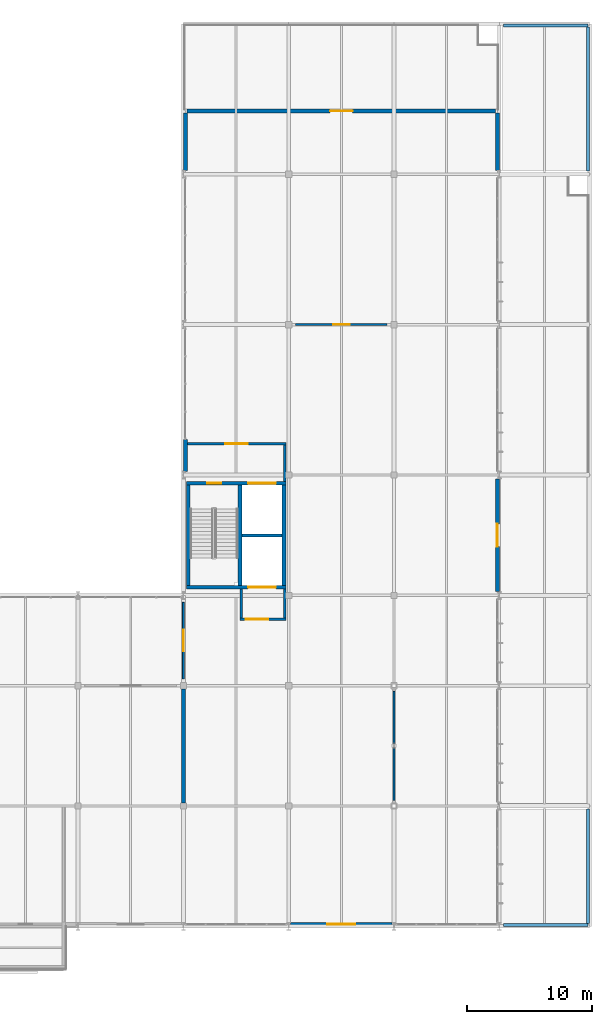
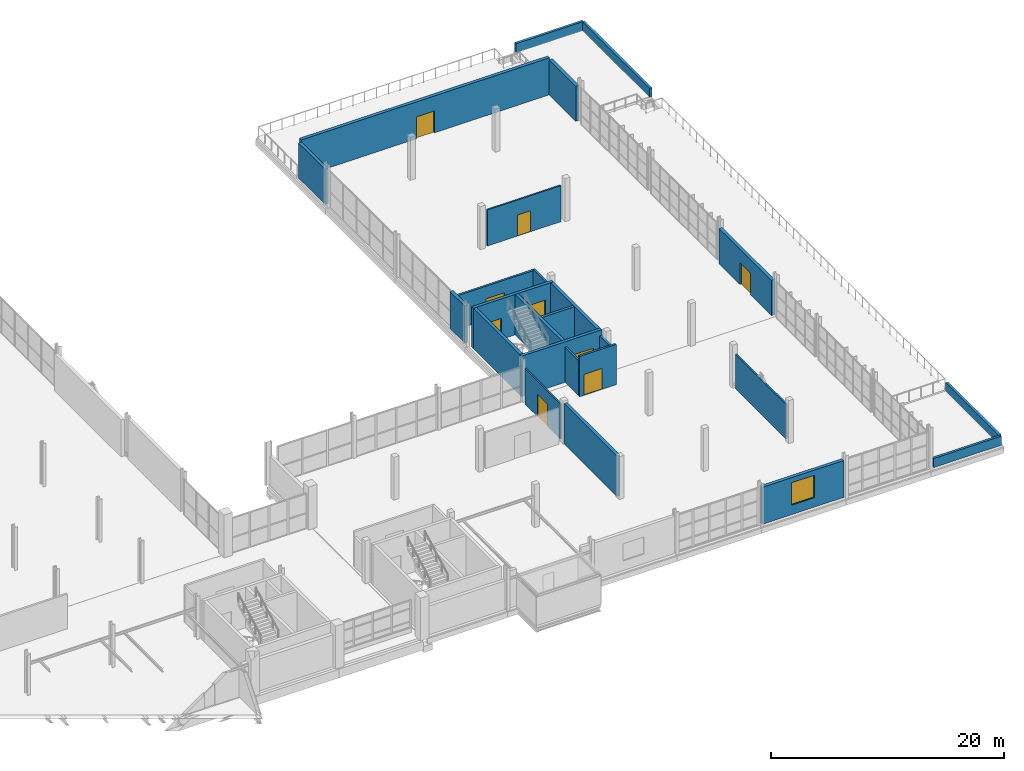
# One storey, part 100 of 109: 25 walls, 9 doors, 1 window, 10 openings.
"""IFC4 building model written with IfcOpenShell, lengths in metres."""

from ifc_helpers import new_model, si_unit, direction, frame, frame_2d, origin, place, context, subcontext, project, spatial, rectangle, extrude, material, layer, layer_set, type_object, element, fill, save


model = new_model("IFC4")

# Units and contexts
model_context = context("Model", 3, precision=1e-05, world=origin(), true_north=direction((0.0, 1.0)))
body_context = subcontext(model_context, "Body", "Model", "MODEL_VIEW")
ifc_project = project(units=[si_unit("LENGTHUNIT", "METRE"), si_unit("AREAUNIT", "SQUARE_METRE"), si_unit("VOLUMEUNIT", "CUBIC_METRE"), si_unit("PLANEANGLEUNIT", "RADIAN"), si_unit("MASSUNIT", "GRAM", prefix="KILO")], contexts=[model_context])

# Site, building, storey
site_placement = place(None, origin())
site = spatial("IfcSite", under=ifc_project, at=site_placement, CompositionType="ELEMENT")
building_placement = place(site_placement, origin())
building = spatial("IfcBuilding", under=site, at=building_placement, Name="Veltarok Museum of Natural Sciences", CompositionType="ELEMENT")
storey_placement = place(building_placement, frame((0.0, 0.0, 17.39990234375)))
storey = spatial("IfcBuildingStorey", under=building, at=storey_placement, Name="L03", CompositionType="ELEMENT", Elevation=17.39990234375)

# Wall
ifc_material_1 = material(Name="Acoustic gypsum and mineral wool")
ifc_layer_1 = layer(ifc_material_1, 0.14990234375)
ifc_layer_set_1 = layer_set([ifc_layer_1], Name="Acoustic gypsum and mineral wool")
wall_type_1 = type_object("IfcWallType", Name="Conservation Laboratory Partition 150", PredefinedType="PARTITIONING", material=ifc_layer_set_1)
wall_1_placement = place(storey_placement, frame((149.199951171875, 10.050048828125, 0.0), z_axis=(0.0, 0.0, 1.0), x_axis=(0.0, 1.0, 0.0)))
element("IfcWall", 1, at=wall_1_placement, inside=storey, type_object=wall_type_1, Name="Braced Frame Enclosure Partition L03 18/B-C", PredefinedType="PARTITIONING", context=body_context, shape_type="SweptSolid", body=[
    extrude(rectangle(XDim=8.699951171875, YDim=0.14990234375, at=frame_2d((4.35009765625, 0.0))), origin(), (0.0, 0.0, 1.0), 3.632080078125),
])

# Wall, opening, door
wall_2_placement = place(storey_placement, frame((132.39990234375, 19.75, 0.0), z_axis=(0.0, 0.0, 1.0), x_axis=(0.0, 1.0, 0.0)))
wall_2 = element("IfcWall", 2, at=wall_2_placement, inside=storey, type_object=wall_type_1, Name="Interior Partition L03-051", PredefinedType="PARTITIONING", context=body_context, shape_type="SweptSolid", body=[
    extrude(rectangle(XDim=6.10009765625, YDim=0.14990234375, at=frame_2d((3.050048828125, 0.0))), origin(), (0.0, 0.0, 1.0), 3.68212890625),
])
opening_1_placement = place(wall_2_placement, frame((2.199951171875, 0.0, 0.0)))
opening_1 = element("IfcOpeningElement", 3, at=opening_1_placement, cuts=wall_2, Name="Opening D-L03-177", PredefinedType="OPENING", context=body_context, shape_type="SweptSolid", body=[
    extrude(rectangle(XDim=1.699951171875, YDim=2.35009765625, at=frame_2d((0.85009765625, 1.175048828125))), frame((0.0, 0.0849609375, 0.0), z_axis=(0.0, -1.0, 0.0), x_axis=(1.0, 0.0, 0.0)), (0.0, 0.0, 1.0), 0.169921875),
])
ifc_material_2 = material(Name="Solid European oak and safety glass", Category="glass")
door_type_1 = type_object("IfcDoorType", Name="Gallery Interconnecting Double Door 1700x2350", OperationType="NOTDEFINED", PredefinedType="DOOR", material=ifc_material_2)
door_1_placement = place(opening_1_placement, origin())
door_1 = element("IfcDoor", 4, at=door_1_placement, inside=storey, type_object=door_type_1, Name="Interior Door D-L03-177", OperationType="DOUBLE_DOOR_SINGLE_SWING", OverallHeight=2.35009765625, OverallWidth=1.699951171875, PredefinedType="DOOR", context=body_context, shape_type="SweptSolid", body=[
    extrude(rectangle(XDim=1.699951171875, YDim=2.35009765625, at=frame_2d((0.85009765625, 1.175048828125))), frame((0.0, 0.02490234375, 0.0), z_axis=(0.0, -1.0, 0.0), x_axis=(1.0, 0.0, 0.0)), (0.0, 0.0, 1.0), 0.050048828125),
])
fill(opening_1, door_1)

wall_3_placement = place(storey_placement, frame((141.35009765625, 48.0, 0.0), z_axis=(0.0, 0.0, 1.0), x_axis=(1.0, 0.0, 0.0)))
wall_3 = element("IfcWall", 5, at=wall_3_placement, inside=storey, type_object=wall_type_1, Name="Interior Partition L03-052", PredefinedType="PARTITIONING", context=body_context, shape_type="SweptSolid", body=[
    extrude(rectangle(XDim=7.2998046875, YDim=0.14990234375, at=frame_2d((3.64990234375, 0.0))), origin(), (0.0, 0.0, 1.0), 3.781982421875),
])
opening_2_placement = place(wall_3_placement, frame((2.989990234375, 0.0, 0.0)))
opening_2 = element("IfcOpeningElement", 6, at=opening_2_placement, cuts=wall_3, Name="Opening D-L03-178", PredefinedType="OPENING", context=body_context, shape_type="SweptSolid", body=[
    extrude(rectangle(XDim=1.320068359375, YDim=2.199951171875, at=frame_2d((0.66015625, 1.10009765625))), frame((0.0, 0.0849609375, 0.0), z_axis=(0.0, -1.0, 0.0), x_axis=(1.0, 0.0, 0.0)), (0.0, 0.0, 1.0), 0.169921875),
])
ifc_material_3 = material(Name="HPL laboratory acoustic door")
door_type_2 = type_object("IfcDoorType", Name="Conservation Studio Door 1320x2200", OperationType="NOTDEFINED", PredefinedType="DOOR", material=ifc_material_3)
door_2_placement = place(opening_2_placement, origin())
door_2 = element("IfcDoor", 7, at=door_2_placement, inside=storey, type_object=door_type_2, Name="Interior Door D-L03-178", OperationType="SINGLE_SWING_RIGHT", OverallHeight=2.199951171875, OverallWidth=1.320068359375, PredefinedType="DOOR", context=body_context, shape_type="SweptSolid", body=[
    extrude(rectangle(XDim=1.320068359375, YDim=2.199951171875, at=frame_2d((0.66015625, 1.10009765625))), frame((0.0, 0.02490234375, 0.0), z_axis=(0.0, -1.0, 0.0), x_axis=(1.0, 0.0, 0.0)), (0.0, 0.0, 1.0), 0.050048828125),
])
fill(opening_2, door_2)

ifc_material_4 = material(Name="Concrete C35/45", Category="concrete")
ifc_layer_2 = layer(ifc_material_4, 0.199951171875)
ifc_layer_set_2 = layer_set([ifc_layer_2], Name="Concrete C35/45")
wall_type_2 = type_object("IfcWallType", Name="Firefighting Lobby Compartment Wall 200", PredefinedType="SOLIDWALL", material=ifc_layer_set_2)
wall_4_placement = place(storey_placement, frame((132.719970703125, 38.5, 0.0), z_axis=(0.0, 0.0, 1.0), x_axis=(1.0, 0.0, 0.0)))
wall_4 = element("IfcWall", 8, at=wall_4_placement, inside=storey, type_object=wall_type_2, Name="Firefighting Lobby Wall C5 L03 N", PredefinedType="SOLIDWALL", context=body_context, shape_type="SweptSolid", body=[
    extrude(rectangle(XDim=7.85009765625, YDim=0.199951171875, at=frame_2d((3.925048828125, 0.0))), origin(), (0.0, 0.0, 1.0), 3.531982421875),
])
opening_3_placement = place(wall_4_placement, frame((3.02490234375, 0.0, 0.0)))
opening_3 = element("IfcOpeningElement", 9, at=opening_3_placement, cuts=wall_4, Name="Opening D-L03-055", PredefinedType="OPENING", context=body_context, shape_type="SweptSolid", body=[
    extrude(rectangle(XDim=1.800048828125, YDim=2.199951171875, at=frame_2d((0.89990234375, 1.10009765625))), frame((0.0, 0.10986328125, 0.0), z_axis=(0.0, -1.0, 0.0), x_axis=(1.0, 0.0, 0.0)), (0.0, 0.0, 1.0), 0.219970703125),
])
ifc_material_5 = material(Name="Fire-rated steel and vision glass", Category="steel")
door_type_3 = type_object("IfcDoorType", Name="Fire Lobby Double Door 1800x2200", OperationType="NOTDEFINED", PredefinedType="DOOR", material=ifc_material_5)
door_3_placement = place(opening_3_placement, origin())
door_3 = element("IfcDoor", 10, at=door_3_placement, inside=storey, type_object=door_type_3, Name="Firefighting Lobby Entrance Door C5 L03", OperationType="DOUBLE_DOOR_SINGLE_SWING", OverallHeight=2.199951171875, OverallWidth=1.800048828125, PredefinedType="DOOR", context=body_context, shape_type="SweptSolid", body=[
    extrude(rectangle(XDim=1.800048828125, YDim=2.199951171875, at=frame_2d((0.89990234375, 1.10009765625))), frame((0.0, 0.02490234375, 0.0), z_axis=(0.0, -1.0, 0.0), x_axis=(1.0, 0.0, 0.0)), (0.0, 0.0, 1.0), 0.050048828125),
])
fill(opening_3, door_3)

# Wall
wall_5_placement = place(storey_placement, frame((140.469970703125, 38.39990234375, 0.0), z_axis=(0.0, 0.0, 1.0), x_axis=(0.0, -1.0, 0.0)))
element("IfcWall", 11, at=wall_5_placement, inside=storey, type_object=wall_type_2, Name="Firefighting Lobby Wall C5 L03 E", PredefinedType="SOLIDWALL", context=body_context, shape_type="SweptSolid", body=[
    extrude(rectangle(XDim=2.89990234375, YDim=0.199951171875, at=frame_2d((1.449951171875, 0.0))), origin(), (0.0, 0.0, 1.0), 3.68212890625),
])

# Wall, opening, door
wall_6_placement = place(storey_placement, frame((140.570068359375, 24.5, 0.0), z_axis=(0.0, 0.0, 1.0), x_axis=(-1.0, 0.0, 0.0)))
wall_6 = element("IfcWall", 12, at=wall_6_placement, inside=storey, type_object=wall_type_2, Name="South Freight Lift Lobby Wall C5S L03 S", PredefinedType="SOLIDWALL", context=body_context, shape_type="SweptSolid", body=[
    extrude(rectangle(XDim=3.650146484375, YDim=0.199951171875, at=frame_2d((1.8251953125, 0.0))), origin(), (0.0, 0.0, 1.0), 4.235107421875),
])
opening_4_placement = place(wall_6_placement, frame((1.39990234375, 0.0, 0.0)))
opening_4 = element("IfcOpeningElement", 13, at=opening_4_placement, cuts=wall_6, Name="Opening D-L03-056", PredefinedType="OPENING", context=body_context, shape_type="SweptSolid", body=[
    extrude(rectangle(XDim=1.800048828125, YDim=2.199951171875, at=frame_2d((0.89990234375, 1.10009765625))), frame((0.0, 0.10986328125, 0.0), z_axis=(0.0, -1.0, 0.0), x_axis=(1.0, 0.0, 0.0)), (0.0, 0.0, 1.0), 0.219970703125),
])
door_4_placement = place(opening_4_placement, origin())
door_4 = element("IfcDoor", 14, at=door_4_placement, inside=storey, type_object=door_type_3, Name="Freight Lift Lobby Door C5S L03", OperationType="DOUBLE_DOOR_SINGLE_SWING", OverallHeight=2.199951171875, OverallWidth=1.800048828125, PredefinedType="DOOR", context=body_context, shape_type="SweptSolid", body=[
    extrude(rectangle(XDim=1.800048828125, YDim=2.199951171875, at=frame_2d((0.89990234375, 1.10009765625))), frame((0.0, 0.02490234375, 0.0), z_axis=(0.0, -1.0, 0.0), x_axis=(1.0, 0.0, 0.0)), (0.0, 0.0, 1.0), 0.050048828125),
])
fill(opening_4, door_4)

# Walls
for number, where, z_axis, x_axis, name in (
    (15, (137.02001953125, 24.60009765625, 0.0), (0.0, 0.0, 1.0), (0.0, 1.0, 0.0), "South Freight Lift Lobby Wall C5S L03 W"),
    (16, (140.469970703125, 26.89990234375, 0.0), (0.0, 0.0, 1.0), (0.0, -1.0, 0.0), "South Freight Lift Lobby Wall C5S L03 E"),
):
    element("IfcWall", number, at=place(storey_placement, frame(where, z_axis=z_axis, x_axis=x_axis)), inside=storey, type_object=wall_type_2, Name=name, PredefinedType="SOLIDWALL", context=body_context, shape_type="SweptSolid", body=[
        extrude(rectangle(XDim=2.2998046875, YDim=0.199951171875, at=frame_2d((1.14990234375, 0.0))), origin(), (0.0, 0.0, 1.0), 3.68212890625),
    ])
ifc_material_6 = material(Name="Precast concrete C40/50", Category="concrete")
ifc_layer_3 = layer(ifc_material_6, 0.239990234375)
ifc_layer_set_3 = layer_set([ifc_layer_3], Name="Precast concrete C40/50")
wall_type_3 = type_object("IfcWallType", Name="Flat Roof Concrete Parapet Wall 240", PredefinedType="PARAPET", material=ifc_layer_set_3)
wall_7_placement = place(storey_placement, frame((157.949951171875, 0.1201171875, 0.0), z_axis=(0.0, 0.0, 1.0), x_axis=(1.0, 0.0, 0.0)))
element("IfcWall", 17, at=wall_7_placement, inside=storey, type_object=wall_type_3, Name="Roof Parapet Wall L03-08", PredefinedType="PARAPET", context=body_context, shape_type="SweptSolid", body=[
    extrude(rectangle(XDim=6.72998046875, YDim=0.239990234375, at=frame_2d((3.364990234375, 0.0))), origin(), (0.0, 0.0, 1.0), 0.9501953125),
])
wall_8_placement = place(storey_placement, frame((164.679931640625, 0.239990234375, 0.0), z_axis=(0.0, 0.0, 1.0), x_axis=(0.0, 1.0, 0.0)))
element("IfcWall", 18, at=wall_8_placement, inside=storey, type_object=wall_type_3, Name="Roof Parapet Wall L03-09", PredefinedType="PARAPET", context=body_context, shape_type="SweptSolid", body=[
    extrude(rectangle(XDim=9.1201171875, YDim=0.239990234375, at=frame_2d((4.56005859375, 0.0))), origin(), (0.0, 0.0, 1.0), 0.9501953125),
])
wall_9_placement = place(storey_placement, frame((157.949951171875, 71.8798828125, 0.0), z_axis=(0.0, 0.0, 1.0), x_axis=(1.0, 0.0, 0.0)))
element("IfcWall", 19, at=wall_9_placement, inside=storey, type_object=wall_type_3, Name="Roof Parapet Wall L03-10", PredefinedType="PARAPET", context=body_context, shape_type="SweptSolid", body=[
    extrude(rectangle(XDim=6.72998046875, YDim=0.239990234375, at=frame_2d((3.364990234375, 0.0))), origin(), (0.0, 0.0, 1.0), 0.9501953125),
])
wall_10_placement = place(storey_placement, frame((164.679931640625, 60.239990234375, 0.0), z_axis=(0.0, 0.0, 1.0), x_axis=(0.0, 1.0, 0.0)))
element("IfcWall", 20, at=wall_10_placement, inside=storey, type_object=wall_type_3, Name="Roof Parapet Wall L03-11", PredefinedType="PARAPET", context=body_context, shape_type="SweptSolid", body=[
    extrude(rectangle(XDim=11.52001953125, YDim=0.239990234375, at=frame_2d((5.760009765625, 0.0))), origin(), (0.0, 0.0, 1.0), 0.9501953125),
])

# Wall, opening, window
ifc_layer_4 = layer(ifc_material_6, 0.320068359375)
ifc_layer_set_4 = layer_set([ifc_layer_4], Name="Precast concrete C40/50")
wall_type_4 = type_object("IfcWallType", Name="Insulated Precast Facade Wall 320", PredefinedType="SOLIDWALL", material=ifc_layer_set_4)
wall_11_placement = place(storey_placement, frame((140.949951171875, 0.159912109375, 0.0), z_axis=(0.0, 0.0, 1.0), x_axis=(1.0, 0.0, 0.0)))
wall_11 = element("IfcWall", 21, at=wall_11_placement, inside=storey, type_object=wall_type_4, Name="V5 South Lab Facade Wall L03 17-18", PredefinedType="SOLIDWALL", context=body_context, shape_type="SweptSolid", body=[
    extrude(rectangle(XDim=8.10009765625, YDim=0.320068359375, at=frame_2d((4.050048828125, 0.0))), origin(), (0.0, 0.0, 1.0), 3.880126953125),
])
opening_5_placement = place(wall_11_placement, frame((2.925048828125, 0.0, 1.0)))
opening_5 = element("IfcOpeningElement", 22, at=opening_5_placement, cuts=wall_11, Name="Opening W-L03-023", PredefinedType="OPENING", context=body_context, shape_type="SweptSolid", body=[
    extrude(rectangle(XDim=2.25, YDim=2.35009765625, at=frame_2d((1.125, 1.175048828125))), frame((0.0, 0.169921875, 0.0), z_axis=(0.0, -1.0, 0.0), x_axis=(1.0, 0.0, 0.0)), (0.0, 0.0, 1.0), 0.340087890625),
])
ifc_material_7 = material(Name="Low-iron triple insulated glass", Category="glass")
window_type = type_object("IfcWindowType", Name="Library Reading Window 2250x2350", PartitioningType="SINGLE_PANEL", PredefinedType="WINDOW", material=ifc_material_7)
window_placement = place(opening_5_placement, origin())
window = element("IfcWindow", 23, at=window_placement, inside=storey, type_object=window_type, Name="Lab Window L03 17-18", OverallHeight=2.35009765625, OverallWidth=2.25, PartitioningType="SINGLE_PANEL", PredefinedType="WINDOW", context=body_context, shape_type="SweptSolid", body=[
    extrude(rectangle(XDim=2.25, YDim=2.35009765625, at=frame_2d((1.125, 1.175048828125))), frame((0.0, 0.030029296875, 0.0), z_axis=(0.0, -1.0, 0.0), x_axis=(1.0, 0.0, 0.0)), (0.0, 0.0, 1.0), 0.06005859375),
])
fill(opening_5, window)

# Wall
wall_12_placement = place(storey_placement, frame((132.56005859375, 38.85009765625, 0.0), z_axis=(0.0, 0.0, 1.0), x_axis=(0.0, -1.0, 0.0)))
element("IfcWall", 24, at=wall_12_placement, inside=storey, type_object=wall_type_4, Name="Core C5 West Courtyard Wall L03", PredefinedType="SOLIDWALL", context=body_context, shape_type="SweptSolid", body=[
    extrude(rectangle(XDim=2.550048828125, YDim=0.320068359375, at=frame_2d((1.27490234375, 0.0))), origin(), (0.0, 0.0, 1.0), 3.880126953125),
])

# Wall, opening, door
wall_13_placement = place(storey_placement, frame((132.699951171875, 65.0400390625, 0.0), z_axis=(0.0, 0.0, 1.0), x_axis=(1.0, 0.0, 0.0)))
wall_13 = element("IfcWall", 25, at=wall_13_placement, inside=storey, type_object=wall_type_4, Name="Terrace Access Wall L03 D-L03-T01", PredefinedType="SOLIDWALL", context=body_context, shape_type="SweptSolid", body=[
    extrude(rectangle(XDim=24.60009765625, YDim=0.320068359375, at=frame_2d((12.300048828125, 0.0))), origin(), (0.0, 0.0, 1.0), 3.880126953125),
])
opening_6_placement = place(wall_13_placement, frame((11.39990234375, 0.0, 0.0)))
opening_6 = element("IfcOpeningElement", 26, at=opening_6_placement, cuts=wall_13, Name="Opening D-L03-T01", PredefinedType="OPENING", context=body_context, shape_type="SweptSolid", body=[
    extrude(rectangle(XDim=1.800048828125, YDim=2.300048828125, at=frame_2d((0.89990234375, 1.14990234375))), frame((0.0, 0.169921875, 0.0), z_axis=(0.0, -1.0, 0.0), x_axis=(1.0, 0.0, 0.0)), (0.0, 0.0, 1.0), 0.340087890625),
])
ifc_material_8 = material(Name="Thermally broken aluminium and glass", Category="aluminium")
door_type_4 = type_object("IfcDoorType", Name="Terrace Double Glazed Door 1800x2300", OperationType="NOTDEFINED", PredefinedType="DOOR", material=ifc_material_8)
door_5_placement = place(opening_6_placement, origin())
door_5 = element("IfcDoor", 27, at=door_5_placement, inside=storey, type_object=door_type_4, Name="Terrace Access Door D-L03-T01", OperationType="DOUBLE_DOOR_SINGLE_SWING", OverallHeight=2.300048828125, OverallWidth=1.800048828125, PredefinedType="DOOR", context=body_context, shape_type="SweptSolid", body=[
    extrude(rectangle(XDim=1.800048828125, YDim=2.300048828125, at=frame_2d((0.89990234375, 1.14990234375))), frame((0.0, 0.02490234375, 0.0), z_axis=(0.0, -1.0, 0.0), x_axis=(1.0, 0.0, 0.0)), (0.0, 0.0, 1.0), 0.050048828125),
])
fill(opening_6, door_5)

wall_14_placement = place(storey_placement, frame((157.43994140625, 26.699951171875, 0.0), z_axis=(0.0, 0.0, 1.0), x_axis=(0.0, 1.0, 0.0)))
wall_14 = element("IfcWall", 28, at=wall_14_placement, inside=storey, type_object=wall_type_4, Name="Terrace Access Wall L03 D-L03-T02", PredefinedType="SOLIDWALL", context=body_context, shape_type="SweptSolid", body=[
    extrude(rectangle(XDim=9.0, YDim=0.320068359375, at=frame_2d((4.5, 0.0))), origin(), (0.0, 0.0, 1.0), 3.68212890625),
])
opening_7_placement = place(wall_14_placement, frame((3.60009765625, 0.0, 0.0)))
opening_7 = element("IfcOpeningElement", 29, at=opening_7_placement, cuts=wall_14, Name="Opening D-L03-T02", PredefinedType="OPENING", context=body_context, shape_type="SweptSolid", body=[
    extrude(rectangle(XDim=1.800048828125, YDim=2.300048828125, at=frame_2d((0.89990234375, 1.14990234375))), frame((0.0, 0.169921875, 0.0), z_axis=(0.0, -1.0, 0.0), x_axis=(1.0, 0.0, 0.0)), (0.0, 0.0, 1.0), 0.340087890625),
])
door_6_placement = place(opening_7_placement, frame((1.800048828125, 0.0, 0.0), z_axis=(0.0, 0.0, 1.0), x_axis=(-1.0, 0.0, 0.0)))
door_6 = element("IfcDoor", 30, at=door_6_placement, inside=storey, type_object=door_type_4, Name="Terrace Access Door D-L03-T02", OperationType="DOUBLE_DOOR_SINGLE_SWING", OverallHeight=2.300048828125, OverallWidth=1.800048828125, PredefinedType="DOOR", context=body_context, shape_type="SweptSolid", body=[
    extrude(rectangle(XDim=1.800048828125, YDim=2.300048828125, at=frame_2d((0.89990234375, 1.14990234375))), frame((0.0, 0.02490234375, 0.0), z_axis=(0.0, -1.0, 0.0), x_axis=(1.0, 0.0, 0.0)), (0.0, 0.0, 1.0), 0.050048828125),
])
fill(opening_7, door_6)

# Walls
for number, where, z_axis, x_axis, name in (
    (31, (132.56005859375, 60.300048828125, 0.0), (0.0, 0.0, 1.0), (0.0, 1.0, 0.0), "V5 West Setback Return Wall L03"),
    (32, (157.43994140625, 64.8798828125, 0.0), (0.0, 0.0, 1.0), (0.0, -1.0, 0.0), "V5 East Setback Return Wall L03"),
):
    element("IfcWall", number, at=place(storey_placement, frame(where, z_axis=z_axis, x_axis=x_axis)), inside=storey, type_object=wall_type_4, Name=name, PredefinedType="SOLIDWALL", context=body_context, shape_type="SweptSolid", body=[
        extrude(rectangle(XDim=4.579833984375, YDim=0.320068359375, at=frame_2d((2.2900390625, 0.0))), origin(), (0.0, 0.0, 1.0), 3.672119140625),
    ])
ifc_material_9 = material(Name="Concrete C40/50", Category="concrete")
ifc_layer_5 = layer(ifc_material_9, 0.320068359375)
ifc_layer_set_5 = layer_set([ifc_layer_5], Name="Concrete C40/50")
wall_type_5 = type_object("IfcWallType", Name="Interior Lateral Concrete Shear Wall 320", PredefinedType="SHEAR", material=ifc_layer_set_5)
wall_15_placement = place(storey_placement, frame((132.39990234375, 9.85009765625, 0.0), z_axis=(0.0, 0.0, 1.0), x_axis=(0.0, 1.0, 0.0)))
element("IfcWall", 33, at=wall_15_placement, inside=storey, type_object=wall_type_5, Name="Interior Shear Wall SW2 L03", PredefinedType="SHEAR", context=body_context, shape_type="SweptSolid", body=[
    extrude(rectangle(XDim=9.099853515625, YDim=0.320068359375, at=frame_2d((4.5498046875, 0.0))), origin(), (0.0, 0.0, 1.0), 4.25),
])
ifc_layer_6 = layer(ifc_material_9, 0.25)
ifc_layer_set_6 = layer_set([ifc_layer_6], Name="Concrete C40/50")
wall_type_6 = type_object("IfcWallType", Name="Lift Shaft Concrete Shear Wall 250", PredefinedType="SHEAR", material=ifc_layer_set_6)
wall_16_placement = place(storey_placement, frame((137.070068359375, 31.175048828125, 0.0), z_axis=(0.0, 0.0, 1.0), x_axis=(1.0, 0.0, 0.0)))
element("IfcWall", 34, at=wall_16_placement, inside=storey, type_object=wall_type_6, Name="Lift Shaft Divider Wall C5 L03", PredefinedType="SHEAR", context=body_context, shape_type="SweptSolid", body=[
    extrude(rectangle(XDim=3.199951171875, YDim=0.25, at=frame_2d((1.60009765625, 0.0))), origin(), (0.0, 0.0, 1.0), 4.25),
])

# Wall, opening, door
ifc_layer_7 = layer(ifc_material_9, 0.300048828125)
ifc_layer_set_7 = layer_set([ifc_layer_7], Name="Concrete C40/50")
wall_type_7 = type_object("IfcWallType", Name="Protected Core Shear Wall 300", PredefinedType="SHEAR", material=ifc_layer_set_7)
wall_17_placement = place(storey_placement, frame((132.6298828125, 27.050048828125, 0.0), z_axis=(0.0, 0.0, 1.0), x_axis=(1.0, 0.0, 0.0)))
wall_17 = element("IfcWall", 35, at=wall_17_placement, inside=storey, type_object=wall_type_7, Name="Core Shear Wall C5 L03 S", PredefinedType="SHEAR", context=body_context, shape_type="SweptSolid", body=[
    extrude(rectangle(XDim=7.940185546875, YDim=0.300048828125, at=frame_2d((3.97021484375, 0.0))), origin(), (0.0, 0.0, 1.0), 4.25),
])
opening_8_placement = place(wall_17_placement, frame((4.93994140625, 0.0, 0.0)))
opening_8 = element("IfcOpeningElement", 36, at=opening_8_placement, cuts=wall_17, Name="Opening LD-L03-GL-01", PredefinedType="OPENING", context=body_context, shape_type="SweptSolid", body=[
    extrude(rectangle(XDim=2.199951171875, YDim=2.60009765625, at=frame_2d((1.10009765625, 1.300048828125))), frame((0.0, 0.16015625, 0.0), z_axis=(0.0, -1.0, 0.0), x_axis=(1.0, 0.0, 0.0)), (0.0, 0.0, 1.0), 0.320068359375),
])
ifc_material_10 = material(Name="Heavy stainless steel", Category="steel")
door_type_5 = type_object("IfcDoorType", Name="Art Freight Lift Bi-Parting Landing Door 2200x2600", OperationType="SLIDING_TO_LEFT", PredefinedType="DOOR", material=ifc_material_10)
door_7_placement = place(opening_8_placement, origin())
door_7 = element("IfcDoor", 37, at=door_7_placement, inside=storey, type_object=door_type_5, Name="Sliding Lift Landing Door LD-L03-GL-01", OperationType="SLIDING_TO_LEFT", OverallHeight=2.60009765625, OverallWidth=2.199951171875, PredefinedType="DOOR", context=body_context, shape_type="SweptSolid", body=[
    extrude(rectangle(XDim=2.199951171875, YDim=2.60009765625, at=frame_2d((1.10009765625, 1.300048828125))), frame((0.0, 0.02490234375, 0.0), z_axis=(0.0, -1.0, 0.0), x_axis=(1.0, 0.0, 0.0)), (0.0, 0.0, 1.0), 0.050048828125),
])
fill(opening_8, door_7)

# Wall, openings, doors
wall_18_placement = place(storey_placement, frame((140.570068359375, 35.35009765625, 0.0), z_axis=(0.0, 0.0, 1.0), x_axis=(-1.0, 0.0, 0.0)))
wall_18 = element("IfcWall", 38, at=wall_18_placement, inside=storey, type_object=wall_type_7, Name="Core Shear Wall C5 L03 N", PredefinedType="SHEAR", context=body_context, shape_type="SweptSolid", body=[
    extrude(rectangle(XDim=7.940185546875, YDim=0.300048828125, at=frame_2d((3.97021484375, 0.0))), origin(), (0.0, 0.0, 1.0), 4.25),
])
opening_9_placement = place(wall_18_placement, frame((5.169921875, 0.0, 0.0)))
opening_9 = element("IfcOpeningElement", 39, at=opening_9_placement, cuts=wall_18, Name="Opening D-L03-054", PredefinedType="OPENING", context=body_context, shape_type="SweptSolid", body=[
    extrude(rectangle(XDim=1.10009765625, YDim=2.199951171875, at=frame_2d((0.550048828125, 1.10009765625))), frame((0.0, 0.16015625, 0.0), z_axis=(0.0, -1.0, 0.0), x_axis=(1.0, 0.0, 0.0)), (0.0, 0.0, 1.0), 0.320068359375),
])
opening_10_placement = place(wall_18_placement, frame((0.800048828125, 0.0, 0.0)))
opening_10 = element("IfcOpeningElement", 40, at=opening_10_placement, cuts=wall_18, Name="Opening LD-L03-GL-02", PredefinedType="OPENING", context=body_context, shape_type="SweptSolid", body=[
    extrude(rectangle(XDim=2.199951171875, YDim=2.60009765625, at=frame_2d((1.10009765625, 1.300048828125))), frame((0.0, 0.16015625, 0.0), z_axis=(0.0, -1.0, 0.0), x_axis=(1.0, 0.0, 0.0)), (0.0, 0.0, 1.0), 0.320068359375),
])
door_8_placement = place(opening_10_placement, origin())
door_8 = element("IfcDoor", 41, at=door_8_placement, inside=storey, type_object=door_type_5, Name="Sliding Lift Landing Door LD-L03-GL-02", OperationType="SLIDING_TO_LEFT", OverallHeight=2.60009765625, OverallWidth=2.199951171875, PredefinedType="DOOR", context=body_context, shape_type="SweptSolid", body=[
    extrude(rectangle(XDim=2.199951171875, YDim=2.60009765625, at=frame_2d((1.10009765625, 1.300048828125))), frame((0.0, 0.02490234375, 0.0), z_axis=(0.0, -1.0, 0.0), x_axis=(1.0, 0.0, 0.0)), (0.0, 0.0, 1.0), 0.050048828125),
])
fill(opening_10, door_8)
ifc_material_11 = material(Name="Fire-rated painted steel", Category="steel")
door_type_6 = type_object("IfcDoorType", Name="Fire Core Single Escape Door 1100x2200", OperationType="NOTDEFINED", PredefinedType="DOOR", material=ifc_material_11)
door_9_placement = place(opening_9_placement, origin())
door_9 = element("IfcDoor", 42, at=door_9_placement, inside=storey, type_object=door_type_6, Name="Protected Stair Door ST-05 L03", OperationType="SINGLE_SWING_RIGHT", OverallHeight=2.199951171875, OverallWidth=1.10009765625, PredefinedType="DOOR", context=body_context, shape_type="SweptSolid", body=[
    extrude(rectangle(XDim=1.10009765625, YDim=2.199951171875, at=frame_2d((0.550048828125, 1.10009765625))), frame((0.0, 0.02490234375, 0.0), z_axis=(0.0, -1.0, 0.0), x_axis=(1.0, 0.0, 0.0)), (0.0, 0.0, 1.0), 0.050048828125),
])
fill(opening_9, door_9)

# Walls
for number, where, z_axis, x_axis, name in (
    (43, (132.780029296875, 35.199951171875, 0.0), (0.0, 0.0, 1.0), (0.0, -1.0, 0.0), "Core Shear Wall C5 L03 W"),
    (44, (140.419921875, 27.199951171875, 0.0), (0.0, 0.0, 1.0), (0.0, 1.0, 0.0), "Core Shear Wall C5 L03 E"),
    (45, (136.919921875, 27.199951171875, 0.0), (0.0, 0.0, 1.0), (0.0, 1.0, 0.0), "Core Shear Wall C5 L03 DIV"),
):
    element("IfcWall", number, at=place(storey_placement, frame(where, z_axis=z_axis, x_axis=x_axis)), inside=storey, type_object=wall_type_7, Name=name, PredefinedType="SHEAR", context=body_context, shape_type="SweptSolid", body=[
        extrude(rectangle(XDim=8.0, YDim=0.300048828125, at=frame_2d((4.0, 0.0))), origin(), (0.0, 0.0, 1.0), 4.25),
    ])

save(model, "model.ifc")
